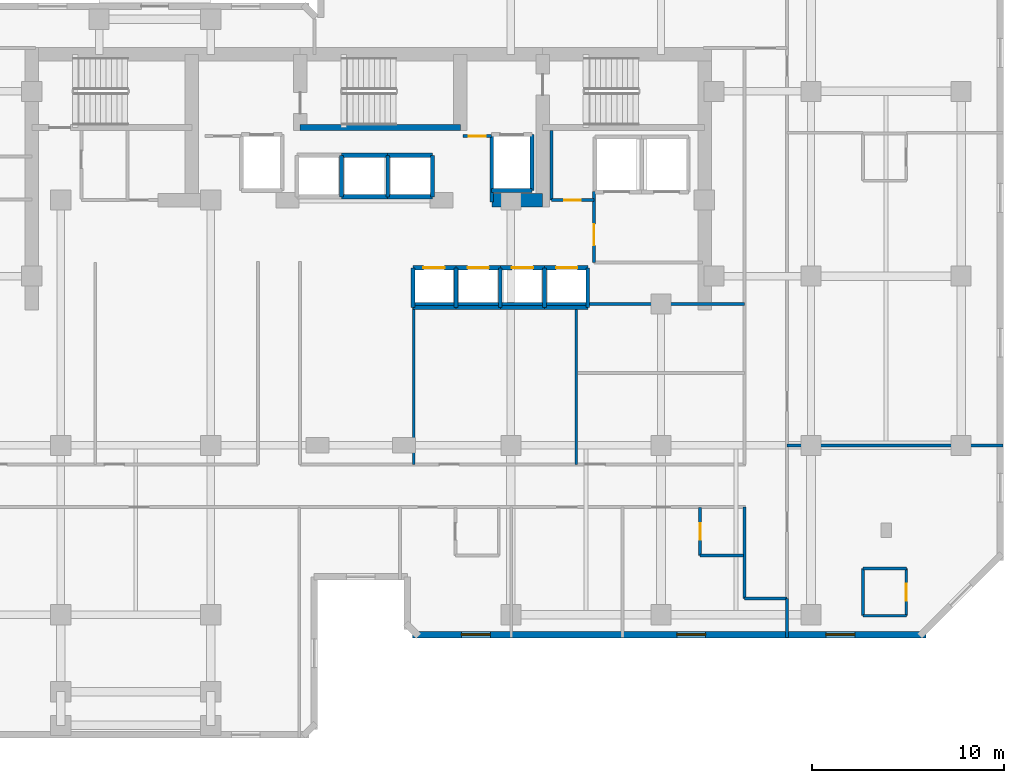
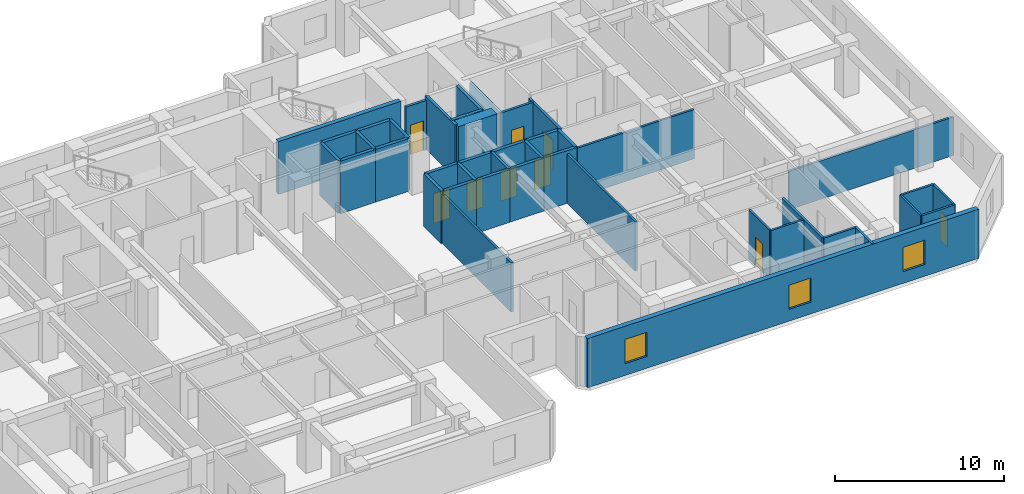
# One storey, part 6 of 9: 43 walls, 9 doors, 3 windows, 12 openings.
"""IFC4 building model written with IfcOpenShell, lengths in metres."""

from ifc_helpers import new_model, si_unit, direction, frame, frame_2d, origin, place, context, subcontext, project, spatial, rectangle, extrude, material, layer, layer_set, type_object, element, fill, save


model = new_model("IFC4")

# Units and contexts
model_context = context("Model", 3, precision=1e-05, world=origin(), true_north=direction((0.0, 1.0)))
body_context = subcontext(model_context, "Body", "Model", "MODEL_VIEW")
ifc_project = project(units=[si_unit("LENGTHUNIT", "METRE"), si_unit("AREAUNIT", "SQUARE_METRE"), si_unit("VOLUMEUNIT", "CUBIC_METRE"), si_unit("PLANEANGLEUNIT", "RADIAN"), si_unit("MASSUNIT", "GRAM", prefix="KILO")], contexts=[model_context])

# Site, building, storey
site_placement = place(None, origin())
site = spatial("IfcSite", under=ifc_project, at=site_placement, CompositionType="ELEMENT")
building_placement = place(site_placement, origin())
building = spatial("IfcBuilding", under=site, at=building_placement, Name="Kestravale Grand Hotel", CompositionType="ELEMENT")
storey_placement = place(building_placement, frame((0.0, 0.0, 146.0)))
storey = spatial("IfcBuildingStorey", under=building, at=storey_placement, Name="L36", CompositionType="ELEMENT", Elevation=146.0)

# Wall
ifc_material_1 = material(Name="Concrete f'c 60 MPa", Category="concrete")
ifc_layer_1 = layer(ifc_material_1, 0.699951171875)
ifc_layer_set_1 = layer_set([ifc_layer_1], Name="EW-CORE-700")
wall_type_1 = type_object("IfcWallType", Name="EW-CORE-700", PredefinedType="SHEAR", material=ifc_layer_set_1)
wall_1_placement = place(storey_placement, frame((45.81005859375, 32.75, 0.0), z_axis=(0.0, 0.0, 1.0), x_axis=(1.0, 0.0, 0.0)))
element("IfcWall", 1, at=wall_1_placement, inside=storey, type_object=wall_type_1, Name="L36 core shear wall S2", PredefinedType="SHEAR", context=body_context, shape_type="SweptSolid", body=[
    extrude(rectangle(XDim=2.639892578125, YDim=0.699951171875, at=frame_2d((1.31982421875, 0.0))), origin(), (0.0, 0.0, 1.0), 3.800048828125),
])

# Wall, openings, windows
ifc_material_2 = material(Name="Precast concrete f'c 45 MPa", Category="concrete")
ifc_layer_2 = layer(ifc_material_2, 0.340087890625)
ifc_layer_set_2 = layer_set([ifc_layer_2], Name="EW-PREC-340")
wall_type_2 = type_object("IfcWallType", Name="EW-PREC-340", PredefinedType="SOLIDWALL", material=ifc_layer_set_2)
wall_2_placement = place(storey_placement, frame((41.679931640625, 10.169921875, 0.0), z_axis=(0.0, 0.0, 1.0), x_axis=(1.0, 0.0, 0.0)))
wall_2 = element("IfcWall", 2, at=wall_2_placement, inside=storey, type_object=wall_type_2, Name="L36 fluted precast facade wall 7", PredefinedType="SOLIDWALL", context=body_context, shape_type="SweptSolid", body=[
    extrude(rectangle(XDim=26.690185546875, YDim=0.340087890625, at=frame_2d((13.34521484375, 0.0))), origin(), (0.0, 0.0, 1.0), 3.550048828125),
])
opening_1_placement = place(wall_2_placement, frame((2.54833984375, 0.0, 0.85009765625)))
opening_1 = element("IfcOpeningElement", 3, at=opening_1_placement, cuts=wall_2, Name="Opening W-GUEST-1500", PredefinedType="OPENING", context=body_context, shape_type="SweptSolid", body=[
    extrude(rectangle(XDim=1.5, YDim=1.75, at=frame_2d((0.75, 0.875))), frame((0.0, 0.179931640625, 0.0), z_axis=(0.0, -1.0, 0.0), x_axis=(1.0, 0.0, 0.0)), (0.0, 0.0, 1.0), 0.360107421875),
])
opening_2_placement = place(wall_2_placement, frame((13.7451171875, 0.0, 0.85009765625)))
opening_2 = element("IfcOpeningElement", 4, at=opening_2_placement, cuts=wall_2, Name="Opening W-GUEST-1500", PredefinedType="OPENING", context=body_context, shape_type="SweptSolid", body=[
    extrude(rectangle(XDim=1.5, YDim=1.75, at=frame_2d((0.75, 0.875))), frame((0.0, 0.179931640625, 0.0), z_axis=(0.0, -1.0, 0.0), x_axis=(1.0, 0.0, 0.0)), (0.0, 0.0, 1.0), 0.360107421875),
])
opening_3_placement = place(wall_2_placement, frame((21.49169921875, 0.0, 0.85009765625)))
opening_3 = element("IfcOpeningElement", 5, at=opening_3_placement, cuts=wall_2, Name="Opening W-GUEST-1500", PredefinedType="OPENING", context=body_context, shape_type="SweptSolid", body=[
    extrude(rectangle(XDim=1.5, YDim=1.75, at=frame_2d((0.75, 0.875))), frame((0.0, 0.179931640625, 0.0), z_axis=(0.0, -1.0, 0.0), x_axis=(1.0, 0.0, 0.0)), (0.0, 0.0, 1.0), 0.360107421875),
])
ifc_material_3 = material(Name="Insulated low-E double glazing in aluminium frame", Category="aluminium")
window_type = type_object("IfcWindowType", Name="W-GUEST-1500", PartitioningType="SINGLE_PANEL", PredefinedType="WINDOW", material=ifc_material_3)
window_1_placement = place(opening_1_placement, origin())
window_1 = element("IfcWindow", 6, at=window_1_placement, inside=storey, type_object=window_type, Name="L36 exterior window 7.1", OverallHeight=1.75, OverallWidth=1.5, PartitioningType="SINGLE_PANEL", PredefinedType="WINDOW", context=body_context, shape_type="SweptSolid", body=[
    extrude(rectangle(XDim=1.5, YDim=1.75, at=frame_2d((0.75, 0.875))), frame((0.0, 0.030029296875, 0.0), z_axis=(0.0, -1.0, 0.0), x_axis=(1.0, 0.0, 0.0)), (0.0, 0.0, 1.0), 0.06005859375),
])
fill(opening_1, window_1)
window_2_placement = place(opening_2_placement, origin())
window_2 = element("IfcWindow", 7, at=window_2_placement, inside=storey, type_object=window_type, Name="L36 exterior window 7.2", OverallHeight=1.75, OverallWidth=1.5, PartitioningType="SINGLE_PANEL", PredefinedType="WINDOW", context=body_context, shape_type="SweptSolid", body=[
    extrude(rectangle(XDim=1.5, YDim=1.75, at=frame_2d((0.75, 0.875))), frame((0.0, 0.030029296875, 0.0), z_axis=(0.0, -1.0, 0.0), x_axis=(1.0, 0.0, 0.0)), (0.0, 0.0, 1.0), 0.06005859375),
])
fill(opening_2, window_2)
window_3_placement = place(opening_3_placement, origin())
window_3 = element("IfcWindow", 8, at=window_3_placement, inside=storey, type_object=window_type, Name="L36 exterior window 7.3", OverallHeight=1.75, OverallWidth=1.5, PartitioningType="SINGLE_PANEL", PredefinedType="WINDOW", context=body_context, shape_type="SweptSolid", body=[
    extrude(rectangle(XDim=1.5, YDim=1.75, at=frame_2d((0.75, 0.875))), frame((0.0, 0.030029296875, 0.0), z_axis=(0.0, -1.0, 0.0), x_axis=(1.0, 0.0, 0.0)), (0.0, 0.0, 1.0), 0.06005859375),
])
fill(opening_3, window_3)

# Wall
ifc_material_4 = material(Name="Concrete f'c 45 MPa", Category="concrete")
ifc_layer_3 = layer(ifc_material_4, 0.300048828125)
ifc_layer_set_3 = layer_set([ifc_layer_3], Name="EW-STAIR-300")
wall_type_3 = type_object("IfcWallType", Name="EW-STAIR-300", PredefinedType="SHEAR", material=ifc_layer_set_3)
wall_3_placement = place(storey_placement, frame((35.85009765625, 36.52001953125, 0.0), z_axis=(0.0, 0.0, 1.0), x_axis=(1.0, 0.0, 0.0)))
element("IfcWall", 9, at=wall_3_placement, inside=storey, type_object=wall_type_3, Name="L36 stair enclosure shear wall SST2", PredefinedType="SHEAR", context=body_context, shape_type="SweptSolid", body=[
    extrude(rectangle(XDim=8.329833984375, YDim=0.300048828125, at=frame_2d((4.1650390625, 0.0))), origin(), (0.0, 0.0, 1.0), 3.800048828125),
])

# Wall, opening, door
ifc_material_5 = material(Name="Acoustic fire-rated gypsum board partition", Category="other")
ifc_layer_4 = layer(ifc_material_5, 0.159912109375)
ifc_layer_set_4 = layer_set([ifc_layer_4], Name="IW-CORR-160")
wall_type_4 = type_object("IfcWallType", Name="IW-CORR-160", PredefinedType="PARTITIONING", material=ifc_layer_set_4)
wall_4_placement = place(storey_placement, frame((51.1201171875, 29.5, 0.0), z_axis=(0.0, 0.0, 1.0), x_axis=(0.0, 1.0, 0.0)))
wall_4 = element("IfcWall", 10, at=wall_4_placement, inside=storey, type_object=wall_type_4, Name="W-L36-SVCLOB-W", PredefinedType="PARTITIONING", context=body_context, shape_type="SweptSolid", body=[
    extrude(rectangle(XDim=3.699951171875, YDim=0.159912109375, at=frame_2d((1.85009765625, 0.0))), origin(), (0.0, 0.0, 1.0), 3.550048828125),
])
opening_4_placement = place(wall_4_placement, frame((0.89990234375, 0.0, 0.0)))
opening_4 = element("IfcOpeningElement", 11, at=opening_4_placement, cuts=wall_4, Name="Opening D-CORR-1100", PredefinedType="OPENING", context=body_context, shape_type="SweptSolid", body=[
    extrude(rectangle(XDim=1.10009765625, YDim=2.14990234375, at=frame_2d((0.550048828125, 1.074951171875))), frame((0.0, 0.08984375, 0.0), z_axis=(0.0, -1.0, 0.0), x_axis=(1.0, 0.0, 0.0)), (0.0, 0.0, 1.0), 0.179931640625),
])
ifc_material_6 = material(Name="Single-leaf service vestibule fire door", Category="steel")
door_type_1 = type_object("IfcDoorType", Name="D-CORR-1100", OperationType="NOTDEFINED", PredefinedType="DOOR", material=ifc_material_6)
door_1_placement = place(opening_4_placement, origin())
door_1 = element("IfcDoor", 12, at=door_1_placement, inside=storey, type_object=door_type_1, Name="L36 service lift lobby door", OperationType="SINGLE_SWING_LEFT", OverallHeight=2.14990234375, OverallWidth=1.10009765625, PredefinedType="DOOR", context=body_context, shape_type="SweptSolid", body=[
    extrude(rectangle(XDim=1.10009765625, YDim=2.14990234375, at=frame_2d((0.550048828125, 1.074951171875))), frame((0.0, 0.02490234375, 0.0), z_axis=(0.0, -1.0, 0.0), x_axis=(1.0, 0.0, 0.0)), (0.0, 0.0, 1.0), 0.050048828125),
])
fill(opening_4, door_1)

wall_5_placement = place(storey_placement, frame((48.919921875, 32.75, 0.0), z_axis=(0.0, 0.0, 1.0), x_axis=(1.0, 0.0, 0.0)))
wall_5 = element("IfcWall", 13, at=wall_5_placement, inside=storey, type_object=wall_type_4, Name="W-L36-CES", PredefinedType="PARTITIONING", context=body_context, shape_type="SweptSolid", body=[
    extrude(rectangle(XDim=2.2001953125, YDim=0.159912109375, at=frame_2d((1.10009765625, 0.0))), origin(), (0.0, 0.0, 1.0), 3.550048828125),
])
opening_5_placement = place(wall_5_placement, frame((0.64990234375, 0.0, 0.0)))
opening_5 = element("IfcOpeningElement", 14, at=opening_5_placement, cuts=wall_5, Name="Opening D-SH-860", PredefinedType="OPENING", context=body_context, shape_type="SweptSolid", body=[
    extrude(rectangle(XDim=0.860107421875, YDim=2.050048828125, at=frame_2d((0.43017578125, 1.02490234375))), frame((0.0, 0.08984375, 0.0), z_axis=(0.0, -1.0, 0.0), x_axis=(1.0, 0.0, 0.0)), (0.0, 0.0, 1.0), 0.179931640625),
])
ifc_material_7 = material(Name="Galvanised 90-minute riser fire door", Category="steel")
door_type_2 = type_object("IfcDoorType", Name="D-SH-860", OperationType="NOTDEFINED", PredefinedType="DOOR", material=ifc_material_7)
door_2_placement = place(opening_5_placement, origin())
door_2 = element("IfcDoor", 15, at=door_2_placement, inside=storey, type_object=door_type_2, Name="L36 CSTO1 door", OperationType="SINGLE_SWING_RIGHT", OverallHeight=2.050048828125, OverallWidth=0.860107421875, PredefinedType="DOOR", context=body_context, shape_type="SweptSolid", body=[
    extrude(rectangle(XDim=0.860107421875, YDim=2.050048828125, at=frame_2d((0.43017578125, 1.02490234375))), frame((0.0, 0.02490234375, 0.0), z_axis=(0.0, -1.0, 0.0), x_axis=(1.0, 0.0, 0.0)), (0.0, 0.0, 1.0), 0.050048828125),
])
fill(opening_5, door_2)

# Wall
wall_6_placement = place(storey_placement, frame((58.93994140625, 12.050048828125, 0.0), z_axis=(0.0, 0.0, 1.0), x_axis=(0.0, 1.0, 0.0)))
element("IfcWall", 16, at=wall_6_placement, inside=storey, type_object=wall_type_4, Name="W-L36-SE-W", PredefinedType="PARTITIONING", context=body_context, shape_type="SweptSolid", body=[
    extrude(rectangle(XDim=4.739990234375, YDim=0.159912109375, at=frame_2d((2.3701171875, 0.0))), origin(), (0.0, 0.0, 1.0), 3.550048828125),
])

# Wall, opening, door
ifc_material_8 = material(Name="Fire-rated gypsum board on steel studs with mineral wool", Category="steel")
ifc_layer_5 = layer(ifc_material_8, 0.179931640625)
ifc_layer_set_5 = layer_set([ifc_layer_5], Name="IW-FSAE-180")
wall_type_5 = type_object("IfcWallType", Name="IW-FSAE-180", PredefinedType="PARTITIONING", material=ifc_layer_set_5)
wall_7_placement = place(storey_placement, frame((44.300048828125, 36.080078125, 0.0), z_axis=(0.0, 0.0, 1.0), x_axis=(1.0, 0.0, 0.0)))
wall_7 = element("IfcWall", 17, at=wall_7_placement, inside=storey, type_object=wall_type_5, Name="L36 FSAE Lobby 2 smoke barrier", PredefinedType="PARTITIONING", context=body_context, shape_type="SweptSolid", body=[
    extrude(rectangle(XDim=1.5, YDim=0.179931640625, at=frame_2d((0.75, 0.0))), origin(), (0.0, 0.0, 1.0), 3.550048828125),
])
opening_6_placement = place(wall_7_placement, frame((0.300048828125, 0.0, 0.0)))
opening_6 = element("IfcOpeningElement", 18, at=opening_6_placement, cuts=wall_7, Name="Opening D-FSAE-1000", PredefinedType="OPENING", context=body_context, shape_type="SweptSolid", body=[
    extrude(rectangle(XDim=0.89990234375, YDim=2.14990234375, at=frame_2d((0.449951171875, 1.074951171875))), frame((0.0, 0.099853515625, 0.0), z_axis=(0.0, -1.0, 0.0), x_axis=(1.0, 0.0, 0.0)), (0.0, 0.0, 1.0), 0.199951171875),
])
ifc_material_9 = material(Name="Smoke-gasketed FSAE lobby fire door", Category="steel")
door_type_3 = type_object("IfcDoorType", Name="D-FSAE-1000", OperationType="NOTDEFINED", PredefinedType="DOOR", material=ifc_material_9)
door_3_placement = place(opening_6_placement, origin())
door_3 = element("IfcDoor", 19, at=door_3_placement, inside=storey, type_object=door_type_3, Name="L36 FSAE Lobby 2 fire door", OperationType="SINGLE_SWING_LEFT", OverallHeight=2.14990234375, OverallWidth=0.89990234375, PredefinedType="DOOR", context=body_context, shape_type="SweptSolid", body=[
    extrude(rectangle(XDim=0.89990234375, YDim=2.14990234375, at=frame_2d((0.449951171875, 1.074951171875))), frame((0.0, 0.02490234375, 0.0), z_axis=(0.0, -1.0, 0.0), x_axis=(1.0, 0.0, 0.0)), (0.0, 0.0, 1.0), 0.050048828125),
])
fill(opening_6, door_3)

ifc_material_10 = material(Name="Moisture-resistant tile-backer plumbing chase wall", Category="other")
ifc_layer_6 = layer(ifc_material_10, 0.139892578125)
ifc_layer_set_6 = layer_set([ifc_layer_6], Name="IW-PLB-140")
wall_type_6 = type_object("IfcWallType", Name="IW-PLB-140", PredefinedType="PLUMBINGWALL", material=ifc_layer_set_6)
wall_8_placement = place(storey_placement, frame((56.6298828125, 14.280029296875, 0.0), z_axis=(0.0, 0.0, 1.0), x_axis=(0.0, 1.0, 0.0)))
wall_8 = element("IfcWall", 20, at=wall_8_placement, inside=storey, type_object=wall_type_6, Name="W-L36-U02-BW", PredefinedType="PLUMBINGWALL", context=body_context, shape_type="SweptSolid", body=[
    extrude(rectangle(XDim=2.489990234375, YDim=0.139892578125, at=frame_2d((1.2451171875, 0.0))), origin(), (0.0, 0.0, 1.0), 3.550048828125),
])
opening_7_placement = place(wall_8_placement, frame((0.804931640625, 0.0, 0.0)))
opening_7 = element("IfcOpeningElement", 21, at=opening_7_placement, cuts=wall_8, Name="Opening D-BATH-880", PredefinedType="OPENING", context=body_context, shape_type="SweptSolid", body=[
    extrude(rectangle(XDim=0.8798828125, YDim=2.050048828125, at=frame_2d((0.43994140625, 1.02490234375))), frame((0.0, 0.079833984375, 0.0), z_axis=(0.0, -1.0, 0.0), x_axis=(1.0, 0.0, 0.0)), (0.0, 0.0, 1.0), 0.159912109375),
])
ifc_material_11 = material(Name="Moisture-sealed walnut en-suite bathroom door", Category="wood")
door_type_4 = type_object("IfcDoorType", Name="D-BATH-880", OperationType="NOTDEFINED", PredefinedType="DOOR", material=ifc_material_11)
door_4_placement = place(opening_7_placement, origin())
door_4 = element("IfcDoor", 22, at=door_4_placement, inside=storey, type_object=door_type_4, Name="D-L36-U02-BATH", OperationType="SINGLE_SWING_LEFT", OverallHeight=2.050048828125, OverallWidth=0.8798828125, PredefinedType="DOOR", context=body_context, shape_type="SweptSolid", body=[
    extrude(rectangle(XDim=0.8798828125, YDim=2.050048828125, at=frame_2d((0.43994140625, 1.02490234375))), frame((0.0, 0.02490234375, 0.0), z_axis=(0.0, -1.0, 0.0), x_axis=(1.0, 0.0, 0.0)), (0.0, 0.0, 1.0), 0.050048828125),
])
fill(opening_7, door_4)

# Walls
wall_9_placement = place(storey_placement, frame((56.6298828125, 14.280029296875, 0.0), z_axis=(0.0, 0.0, 1.0), x_axis=(1.0, 0.0, 0.0)))
element("IfcWall", 23, at=wall_9_placement, inside=storey, type_object=wall_type_6, Name="W-L36-U02-BS", PredefinedType="PLUMBINGWALL", context=body_context, shape_type="SweptSolid", body=[
    extrude(rectangle(XDim=2.25, YDim=0.139892578125, at=frame_2d((1.125, 0.0))), origin(), (0.0, 0.0, 1.0), 3.550048828125),
])
wall_10_placement = place(storey_placement, frame((65.10009765625, 11.14990234375, 0.0), z_axis=(0.0, 0.0, 1.0), x_axis=(0.0, 1.0, 0.0)))
element("IfcWall", 24, at=wall_10_placement, inside=storey, type_object=wall_type_6, Name="W-L36-U07-BW", PredefinedType="PLUMBINGWALL", context=body_context, shape_type="SweptSolid", body=[
    extrude(rectangle(XDim=2.4501953125, YDim=0.139892578125, at=frame_2d((1.22509765625, 0.0))), origin(), (0.0, 0.0, 1.0), 3.550048828125),
])

# Wall, opening, door
wall_11_placement = place(storey_placement, frame((67.35009765625, 11.14990234375, 0.0), z_axis=(0.0, 0.0, 1.0), x_axis=(0.0, 1.0, 0.0)))
wall_11 = element("IfcWall", 25, at=wall_11_placement, inside=storey, type_object=wall_type_6, Name="W-L36-U07-BE", PredefinedType="PLUMBINGWALL", context=body_context, shape_type="SweptSolid", body=[
    extrude(rectangle(XDim=2.4501953125, YDim=0.139892578125, at=frame_2d((1.22509765625, 0.0))), origin(), (0.0, 0.0, 1.0), 3.550048828125),
])
opening_8_placement = place(wall_11_placement, frame((0.784912109375, 0.0, 0.0)))
opening_8 = element("IfcOpeningElement", 26, at=opening_8_placement, cuts=wall_11, Name="Opening D-BATH-880", PredefinedType="OPENING", context=body_context, shape_type="SweptSolid", body=[
    extrude(rectangle(XDim=0.8798828125, YDim=2.050048828125, at=frame_2d((0.43994140625, 1.02490234375))), frame((0.0, 0.079833984375, 0.0), z_axis=(0.0, -1.0, 0.0), x_axis=(1.0, 0.0, 0.0)), (0.0, 0.0, 1.0), 0.159912109375),
])
door_5_placement = place(opening_8_placement, origin())
door_5 = element("IfcDoor", 27, at=door_5_placement, inside=storey, type_object=door_type_4, Name="D-L36-U07-BATH", OperationType="SINGLE_SWING_RIGHT", OverallHeight=2.050048828125, OverallWidth=0.8798828125, PredefinedType="DOOR", context=body_context, shape_type="SweptSolid", body=[
    extrude(rectangle(XDim=0.8798828125, YDim=2.050048828125, at=frame_2d((0.43994140625, 1.02490234375))), frame((0.0, 0.02490234375, 0.0), z_axis=(0.0, -1.0, 0.0), x_axis=(1.0, 0.0, 0.0)), (0.0, 0.0, 1.0), 0.050048828125),
])
fill(opening_8, door_5)

# Walls
for number, where, z_axis, x_axis, name in (
    (28, (65.10009765625, 11.14990234375, 0.0), (0.0, 0.0, 1.0), (1.0, 0.0, 0.0), "W-L36-U07-BS"),
    (29, (65.10009765625, 13.60009765625, 0.0), (0.0, 0.0, 1.0), (1.0, 0.0, 0.0), "W-L36-U07-BN"),
):
    element("IfcWall", number, at=place(storey_placement, frame(where, z_axis=z_axis, x_axis=x_axis)), inside=storey, type_object=wall_type_6, Name=name, PredefinedType="PLUMBINGWALL", context=body_context, shape_type="SweptSolid", body=[
        extrude(rectangle(XDim=2.25, YDim=0.139892578125, at=frame_2d((1.125, 0.0))), origin(), (0.0, 0.0, 1.0), 3.550048828125),
    ])
ifc_material_12 = material(Name="Concrete f'c 45 MPa", Category="concrete")
ifc_layer_7 = layer(ifc_material_12, 0.199951171875)
ifc_layer_set_7 = layer_set([ifc_layer_7], Name="IW-SHAFT-200")
wall_type_7 = type_object("IfcWallType", Name="IW-SHAFT-200", PredefinedType="SHEAR", material=ifc_layer_set_7)
for number, where, z_axis, x_axis, name in (
    (30, (41.705078125, 27.169921875, 0.0), (0.0, 0.0, 1.0), (0.0, 1.0, 0.0), "L36 PL-M1 west shaft wall"),
    (31, (43.949951171875, 27.169921875, 0.0), (0.0, 0.0, 1.0), (0.0, 1.0, 0.0), "L36 PL-M2 west shaft wall"),
    (32, (46.25, 27.169921875, 0.0), (0.0, 0.0, 1.0), (0.0, 1.0, 0.0), "L36 PL-M3 west shaft wall"),
    (33, (48.550048828125, 27.169921875, 0.0), (0.0, 0.0, 1.0), (0.0, 1.0, 0.0), "L36 PL-M4 west shaft wall"),
    (34, (50.794921875, 27.169921875, 0.0), (0.0, 0.0, 1.0), (0.0, 1.0, 0.0), "L36 PL-M4 east shaft wall"),
):
    element("IfcWall", number, at=place(storey_placement, frame(where, z_axis=z_axis, x_axis=x_axis)), inside=storey, type_object=wall_type_7, Name=name, PredefinedType="SHEAR", context=body_context, shape_type="SweptSolid", body=[
        extrude(rectangle(XDim=2.06005859375, YDim=0.199951171875, at=frame_2d((1.030029296875, 0.0))), origin(), (0.0, 0.0, 1.0), 3.800048828125),
    ])
for number, where, z_axis, x_axis, name in (
    (35, (38.0, 32.919921875, 0.0), (0.0, 0.0, 1.0), (0.0, 1.0, 0.0), "L36 PL-X2 west shaft wall"),
    (36, (40.39990234375, 32.919921875, 0.0), (0.0, 0.0, 1.0), (0.0, 1.0, 0.0), "L36 PL-X3 west shaft wall"),
    (37, (42.719970703125, 32.919921875, 0.0), (0.0, 0.0, 1.0), (0.0, 1.0, 0.0), "L36 PL-X3 east shaft wall"),
):
    element("IfcWall", number, at=place(storey_placement, frame(where, z_axis=z_axis, x_axis=x_axis)), inside=storey, type_object=wall_type_7, Name=name, PredefinedType="SHEAR", context=body_context, shape_type="SweptSolid", body=[
        extrude(rectangle(XDim=2.16015625, YDim=0.199951171875, at=frame_2d((1.080078125, 0.0))), origin(), (0.0, 0.0, 1.0), 3.800048828125),
    ])
wall_12_placement = place(storey_placement, frame((45.804931640625, 32.64990234375, 0.0), z_axis=(0.0, 0.0, 1.0), x_axis=(0.0, 1.0, 0.0)))
element("IfcWall", 38, at=wall_12_placement, inside=storey, type_object=wall_type_7, Name="L36 FL-2 west shaft wall", PredefinedType="SHEAR", context=body_context, shape_type="SweptSolid", body=[
    extrude(rectangle(XDim=3.505126953125, YDim=0.199951171875, at=frame_2d((1.75244140625, 0.0))), origin(), (0.0, 0.0, 1.0), 3.800048828125),
])
wall_13_placement = place(storey_placement, frame((47.89501953125, 33.2451171875, 0.0), z_axis=(0.0, 0.0, 1.0), x_axis=(0.0, 1.0, 0.0)))
element("IfcWall", 39, at=wall_13_placement, inside=storey, type_object=wall_type_7, Name="L36 FL-2 east shaft wall", PredefinedType="SHEAR", context=body_context, shape_type="SweptSolid", body=[
    extrude(rectangle(XDim=2.909912109375, YDim=0.199951171875, at=frame_2d((1.455078125, 0.0))), origin(), (0.0, 0.0, 1.0), 3.800048828125),
])

# Wall, opening, door
ifc_material_13 = material(Name="Concrete f'c 45 MPa", Category="concrete")
ifc_layer_8 = layer(ifc_material_13, 0.219970703125)
ifc_layer_set_8 = layer_set([ifc_layer_8], Name="IW-SHAFT-220")
wall_type_8 = type_object("IfcWallType", Name="IW-SHAFT-220", PredefinedType="SHEAR", material=ifc_layer_set_8)
wall_14_placement = place(storey_placement, frame((41.705078125, 29.22998046875, 0.0), z_axis=(0.0, 0.0, 1.0), x_axis=(1.0, 0.0, 0.0)))
wall_14 = element("IfcWall", 40, at=wall_14_placement, inside=storey, type_object=wall_type_8, Name="L36 PL-M1 north shaft wall", PredefinedType="SHEAR", context=body_context, shape_type="SweptSolid", body=[
    extrude(rectangle(XDim=2.244873046875, YDim=0.219970703125, at=frame_2d((1.12255859375, 0.0))), origin(), (0.0, 0.0, 1.0), 3.800048828125),
])
opening_9_placement = place(wall_14_placement, frame((0.544921875, 0.0, 0.0)))
opening_9 = element("IfcOpeningElement", 41, at=opening_9_placement, cuts=wall_14, Name="Opening LD-PAX-1100", PredefinedType="OPENING", context=body_context, shape_type="SweptSolid", body=[
    extrude(rectangle(XDim=1.10009765625, YDim=2.14990234375, at=frame_2d((0.550048828125, 1.074951171875))), frame((0.0, 0.119873046875, 0.0), z_axis=(0.0, -1.0, 0.0), x_axis=(1.0, 0.0, 0.0)), (0.0, 0.0, 1.0), 0.239990234375),
])
ifc_material_14 = material(Name="Champagne-bronze center-opening sliding elevator landing door", Category="steel")
door_type_5 = type_object("IfcDoorType", Name="LD-PAX-1100", OperationType="NOTDEFINED", PredefinedType="DOOR", material=ifc_material_14)
door_6_placement = place(opening_9_placement, origin())
door_6 = element("IfcDoor", 42, at=door_6_placement, inside=storey, type_object=door_type_5, Name="L36 PL-M1 elevator landing sliding door", OperationType="DOUBLE_DOOR_SLIDING", OverallHeight=2.14990234375, OverallWidth=1.10009765625, PredefinedType="DOOR", context=body_context, shape_type="SweptSolid", body=[
    extrude(rectangle(XDim=1.10009765625, YDim=2.14990234375, at=frame_2d((0.550048828125, 1.074951171875))), frame((0.0, 0.02490234375, 0.0), z_axis=(0.0, -1.0, 0.0), x_axis=(1.0, 0.0, 0.0)), (0.0, 0.0, 1.0), 0.050048828125),
])
fill(opening_9, door_6)

# Wall
wall_15_placement = place(storey_placement, frame((41.705078125, 27.169921875, 0.0), z_axis=(0.0, 0.0, 1.0), x_axis=(1.0, 0.0, 0.0)))
element("IfcWall", 43, at=wall_15_placement, inside=storey, type_object=wall_type_8, Name="L36 PL-M1 south shaft wall", PredefinedType="SHEAR", context=body_context, shape_type="SweptSolid", body=[
    extrude(rectangle(XDim=2.244873046875, YDim=0.219970703125, at=frame_2d((1.12255859375, 0.0))), origin(), (0.0, 0.0, 1.0), 3.800048828125),
])

# Wall, opening, door
wall_16_placement = place(storey_placement, frame((43.949951171875, 29.22998046875, 0.0), z_axis=(0.0, 0.0, 1.0), x_axis=(1.0, 0.0, 0.0)))
wall_16 = element("IfcWall", 44, at=wall_16_placement, inside=storey, type_object=wall_type_8, Name="L36 PL-M2 north shaft wall", PredefinedType="SHEAR", context=body_context, shape_type="SweptSolid", body=[
    extrude(rectangle(XDim=2.300048828125, YDim=0.219970703125, at=frame_2d((1.14990234375, 0.0))), origin(), (0.0, 0.0, 1.0), 3.800048828125),
])
opening_10_placement = place(wall_16_placement, frame((0.60009765625, 0.0, 0.0)))
opening_10 = element("IfcOpeningElement", 45, at=opening_10_placement, cuts=wall_16, Name="Opening LD-PAX-1100", PredefinedType="OPENING", context=body_context, shape_type="SweptSolid", body=[
    extrude(rectangle(XDim=1.10009765625, YDim=2.14990234375, at=frame_2d((0.550048828125, 1.074951171875))), frame((0.0, 0.119873046875, 0.0), z_axis=(0.0, -1.0, 0.0), x_axis=(1.0, 0.0, 0.0)), (0.0, 0.0, 1.0), 0.239990234375),
])
door_7_placement = place(opening_10_placement, origin())
door_7 = element("IfcDoor", 46, at=door_7_placement, inside=storey, type_object=door_type_5, Name="L36 PL-M2 elevator landing sliding door", OperationType="DOUBLE_DOOR_SLIDING", OverallHeight=2.14990234375, OverallWidth=1.10009765625, PredefinedType="DOOR", context=body_context, shape_type="SweptSolid", body=[
    extrude(rectangle(XDim=1.10009765625, YDim=2.14990234375, at=frame_2d((0.550048828125, 1.074951171875))), frame((0.0, 0.02490234375, 0.0), z_axis=(0.0, -1.0, 0.0), x_axis=(1.0, 0.0, 0.0)), (0.0, 0.0, 1.0), 0.050048828125),
])
fill(opening_10, door_7)

# Wall
wall_17_placement = place(storey_placement, frame((43.949951171875, 27.169921875, 0.0), z_axis=(0.0, 0.0, 1.0), x_axis=(1.0, 0.0, 0.0)))
element("IfcWall", 47, at=wall_17_placement, inside=storey, type_object=wall_type_8, Name="L36 PL-M2 south shaft wall", PredefinedType="SHEAR", context=body_context, shape_type="SweptSolid", body=[
    extrude(rectangle(XDim=2.300048828125, YDim=0.219970703125, at=frame_2d((1.14990234375, 0.0))), origin(), (0.0, 0.0, 1.0), 3.800048828125),
])

# Wall, opening, door
wall_18_placement = place(storey_placement, frame((46.25, 29.22998046875, 0.0), z_axis=(0.0, 0.0, 1.0), x_axis=(1.0, 0.0, 0.0)))
wall_18 = element("IfcWall", 48, at=wall_18_placement, inside=storey, type_object=wall_type_8, Name="L36 PL-M3 north shaft wall", PredefinedType="SHEAR", context=body_context, shape_type="SweptSolid", body=[
    extrude(rectangle(XDim=2.300048828125, YDim=0.219970703125, at=frame_2d((1.14990234375, 0.0))), origin(), (0.0, 0.0, 1.0), 3.800048828125),
])
opening_11_placement = place(wall_18_placement, frame((0.60009765625, 0.0, 0.0)))
opening_11 = element("IfcOpeningElement", 49, at=opening_11_placement, cuts=wall_18, Name="Opening LD-PAX-1100", PredefinedType="OPENING", context=body_context, shape_type="SweptSolid", body=[
    extrude(rectangle(XDim=1.10009765625, YDim=2.14990234375, at=frame_2d((0.550048828125, 1.074951171875))), frame((0.0, 0.119873046875, 0.0), z_axis=(0.0, -1.0, 0.0), x_axis=(1.0, 0.0, 0.0)), (0.0, 0.0, 1.0), 0.239990234375),
])
door_8_placement = place(opening_11_placement, origin())
door_8 = element("IfcDoor", 50, at=door_8_placement, inside=storey, type_object=door_type_5, Name="L36 PL-M3 elevator landing sliding door", OperationType="DOUBLE_DOOR_SLIDING", OverallHeight=2.14990234375, OverallWidth=1.10009765625, PredefinedType="DOOR", context=body_context, shape_type="SweptSolid", body=[
    extrude(rectangle(XDim=1.10009765625, YDim=2.14990234375, at=frame_2d((0.550048828125, 1.074951171875))), frame((0.0, 0.02490234375, 0.0), z_axis=(0.0, -1.0, 0.0), x_axis=(1.0, 0.0, 0.0)), (0.0, 0.0, 1.0), 0.050048828125),
])
fill(opening_11, door_8)

# Wall
wall_19_placement = place(storey_placement, frame((46.25, 27.169921875, 0.0), z_axis=(0.0, 0.0, 1.0), x_axis=(1.0, 0.0, 0.0)))
element("IfcWall", 51, at=wall_19_placement, inside=storey, type_object=wall_type_8, Name="L36 PL-M3 south shaft wall", PredefinedType="SHEAR", context=body_context, shape_type="SweptSolid", body=[
    extrude(rectangle(XDim=2.300048828125, YDim=0.219970703125, at=frame_2d((1.14990234375, 0.0))), origin(), (0.0, 0.0, 1.0), 3.800048828125),
])

# Wall, opening, door
wall_20_placement = place(storey_placement, frame((48.550048828125, 29.22998046875, 0.0), z_axis=(0.0, 0.0, 1.0), x_axis=(1.0, 0.0, 0.0)))
wall_20 = element("IfcWall", 52, at=wall_20_placement, inside=storey, type_object=wall_type_8, Name="L36 PL-M4 north shaft wall", PredefinedType="SHEAR", context=body_context, shape_type="SweptSolid", body=[
    extrude(rectangle(XDim=2.244873046875, YDim=0.219970703125, at=frame_2d((1.12255859375, 0.0))), origin(), (0.0, 0.0, 1.0), 3.800048828125),
])
opening_12_placement = place(wall_20_placement, frame((0.60009765625, 0.0, 0.0)))
opening_12 = element("IfcOpeningElement", 53, at=opening_12_placement, cuts=wall_20, Name="Opening LD-PAX-1100", PredefinedType="OPENING", context=body_context, shape_type="SweptSolid", body=[
    extrude(rectangle(XDim=1.10009765625, YDim=2.14990234375, at=frame_2d((0.550048828125, 1.074951171875))), frame((0.0, 0.119873046875, 0.0), z_axis=(0.0, -1.0, 0.0), x_axis=(1.0, 0.0, 0.0)), (0.0, 0.0, 1.0), 0.239990234375),
])
door_9_placement = place(opening_12_placement, origin())
door_9 = element("IfcDoor", 54, at=door_9_placement, inside=storey, type_object=door_type_5, Name="L36 PL-M4 elevator landing sliding door", OperationType="DOUBLE_DOOR_SLIDING", OverallHeight=2.14990234375, OverallWidth=1.10009765625, PredefinedType="DOOR", context=body_context, shape_type="SweptSolid", body=[
    extrude(rectangle(XDim=1.10009765625, YDim=2.14990234375, at=frame_2d((0.550048828125, 1.074951171875))), frame((0.0, 0.02490234375, 0.0), z_axis=(0.0, -1.0, 0.0), x_axis=(1.0, 0.0, 0.0)), (0.0, 0.0, 1.0), 0.050048828125),
])
fill(opening_12, door_9)

# Walls
wall_21_placement = place(storey_placement, frame((48.550048828125, 27.169921875, 0.0), z_axis=(0.0, 0.0, 1.0), x_axis=(1.0, 0.0, 0.0)))
element("IfcWall", 55, at=wall_21_placement, inside=storey, type_object=wall_type_8, Name="L36 PL-M4 south shaft wall", PredefinedType="SHEAR", context=body_context, shape_type="SweptSolid", body=[
    extrude(rectangle(XDim=2.244873046875, YDim=0.219970703125, at=frame_2d((1.12255859375, 0.0))), origin(), (0.0, 0.0, 1.0), 3.800048828125),
])
for number, where, z_axis, x_axis, name in (
    (56, (38.0, 35.080078125, 0.0), (0.0, 0.0, 1.0), (1.0, 0.0, 0.0), "L36 PL-X2 north shaft wall"),
    (57, (38.0, 32.919921875, 0.0), (0.0, 0.0, 1.0), (1.0, 0.0, 0.0), "L36 PL-X2 south shaft wall"),
):
    element("IfcWall", number, at=place(storey_placement, frame(where, z_axis=z_axis, x_axis=x_axis)), inside=storey, type_object=wall_type_8, Name=name, PredefinedType="SHEAR", context=body_context, shape_type="SweptSolid", body=[
        extrude(rectangle(XDim=2.39990234375, YDim=0.219970703125, at=frame_2d((1.199951171875, 0.0))), origin(), (0.0, 0.0, 1.0), 3.800048828125),
    ])
for number, where, z_axis, x_axis, name in (
    (58, (40.39990234375, 35.080078125, 0.0), (0.0, 0.0, 1.0), (1.0, 0.0, 0.0), "L36 PL-X3 north shaft wall"),
    (59, (40.39990234375, 32.919921875, 0.0), (0.0, 0.0, 1.0), (1.0, 0.0, 0.0), "L36 PL-X3 south shaft wall"),
):
    element("IfcWall", number, at=place(storey_placement, frame(where, z_axis=z_axis, x_axis=x_axis)), inside=storey, type_object=wall_type_8, Name=name, PredefinedType="SHEAR", context=body_context, shape_type="SweptSolid", body=[
        extrude(rectangle(XDim=2.320068359375, YDim=0.219970703125, at=frame_2d((1.16015625, 0.0))), origin(), (0.0, 0.0, 1.0), 3.800048828125),
    ])
wall_22_placement = place(storey_placement, frame((45.804931640625, 33.2451171875, 0.0), z_axis=(0.0, 0.0, 1.0), x_axis=(1.0, 0.0, 0.0)))
element("IfcWall", 60, at=wall_22_placement, inside=storey, type_object=wall_type_8, Name="L36 FL-2 south shaft wall", PredefinedType="SHEAR", context=body_context, shape_type="SweptSolid", body=[
    extrude(rectangle(XDim=2.090087890625, YDim=0.219970703125, at=frame_2d((1.044921875, 0.0))), origin(), (0.0, 0.0, 1.0), 3.800048828125),
])
ifc_material_15 = material(Name="Double-stud STC 52 acoustic demising partition", Category="other")
ifc_layer_9 = layer(ifc_material_15, 0.14990234375)
ifc_layer_set_9 = layer_set([ifc_layer_9], Name="IW-UNIT-150")
wall_type_9 = type_object("IfcWallType", Name="IW-UNIT-150", PredefinedType="PARTITIONING", material=ifc_layer_set_9)
wall_23_placement = place(storey_placement, frame((48.919921875, 32.75, 0.0), z_axis=(0.0, 0.0, 1.0), x_axis=(0.0, 1.0, 0.0)))
element("IfcWall", 61, at=wall_23_placement, inside=storey, type_object=wall_type_9, Name="W-L36-CEW", PredefinedType="PARTITIONING", context=body_context, shape_type="SweptSolid", body=[
    extrude(rectangle(XDim=3.6201171875, YDim=0.14990234375, at=frame_2d((1.81005859375, 0.0))), origin(), (0.0, 0.0, 1.0), 3.550048828125),
])
wall_24_placement = place(storey_placement, frame((58.93994140625, 12.050048828125, 0.0), z_axis=(0.0, 0.0, 1.0), x_axis=(1.0, 0.0, 0.0)))
element("IfcWall", 62, at=wall_24_placement, inside=storey, type_object=wall_type_9, Name="W-L36-SE-S", PredefinedType="PARTITIONING", context=body_context, shape_type="SweptSolid", body=[
    extrude(rectangle(XDim=2.219970703125, YDim=0.14990234375, at=frame_2d((1.10986328125, 0.0))), origin(), (0.0, 0.0, 1.0), 3.550048828125),
])
wall_25_placement = place(storey_placement, frame((41.75, 19.010009765625, 0.0), z_axis=(0.0, 0.0, 1.0), x_axis=(0.0, 1.0, 0.0)))
element("IfcWall", 63, at=wall_25_placement, inside=storey, type_object=wall_type_9, Name="W-L36-RCLE-W", PredefinedType="PARTITIONING", context=body_context, shape_type="SweptSolid", body=[
    extrude(rectangle(XDim=8.159912109375, YDim=0.14990234375, at=frame_2d((4.080078125, 0.0))), origin(), (0.0, 0.0, 1.0), 3.550048828125),
])
wall_26_placement = place(storey_placement, frame((50.199951171875, 19.010009765625, 0.0), z_axis=(0.0, 0.0, 1.0), x_axis=(0.0, 1.0, 0.0)))
element("IfcWall", 64, at=wall_26_placement, inside=storey, type_object=wall_type_9, Name="W-L36-RCLE-M", PredefinedType="PARTITIONING", context=body_context, shape_type="SweptSolid", body=[
    extrude(rectangle(XDim=8.139892578125, YDim=0.14990234375, at=frame_2d((4.06982421875, 0.0))), origin(), (0.0, 0.0, 1.0), 3.550048828125),
])
wall_27_placement = place(storey_placement, frame((41.75, 27.35009765625, 0.0), z_axis=(0.0, 0.0, 1.0), x_axis=(1.0, 0.0, 0.0)))
element("IfcWall", 65, at=wall_27_placement, inside=storey, type_object=wall_type_9, Name="W-L36-RCLE-N", PredefinedType="PARTITIONING", context=body_context, shape_type="SweptSolid", body=[
    extrude(rectangle(XDim=17.18994140625, YDim=0.14990234375, at=frame_2d((8.594970703125, 0.0))), origin(), (0.0, 0.0, 1.0), 3.550048828125),
])
wall_28_placement = place(storey_placement, frame((61.159912109375, 10.02001953125, 0.0), z_axis=(0.0, 0.0, 1.0), x_axis=(0.0, 1.0, 0.0)))
element("IfcWall", 66, at=wall_28_placement, inside=storey, type_object=wall_type_9, Name="W-L36-SE-EXT", PredefinedType="PARTITIONING", context=body_context, shape_type="SweptSolid", body=[
    extrude(rectangle(XDim=2.030029296875, YDim=0.14990234375, at=frame_2d((1.01513671875, 0.0))), origin(), (0.0, 0.0, 1.0), 3.550048828125),
])
wall_29_placement = place(storey_placement, frame((61.159912109375, 20.0, 0.0), z_axis=(0.0, 0.0, 1.0), x_axis=(1.0, 0.0, 0.0)))
element("IfcWall", 67, at=wall_29_placement, inside=storey, type_object=wall_type_9, Name="W-L36-EW-1", PredefinedType="PARTITIONING", context=body_context, shape_type="SweptSolid", body=[
    extrude(rectangle(XDim=11.219970703125, YDim=0.14990234375, at=frame_2d((5.60986328125, 0.0))), origin(), (0.0, 0.0, 1.0), 2.778076171875),
])

save(model, "model.ifc")
